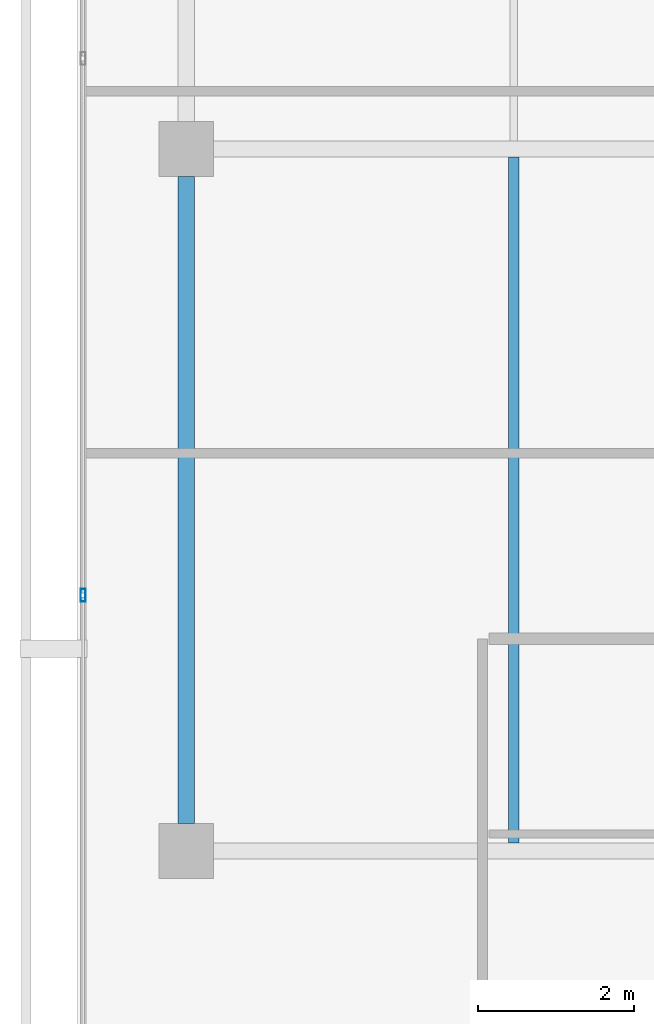
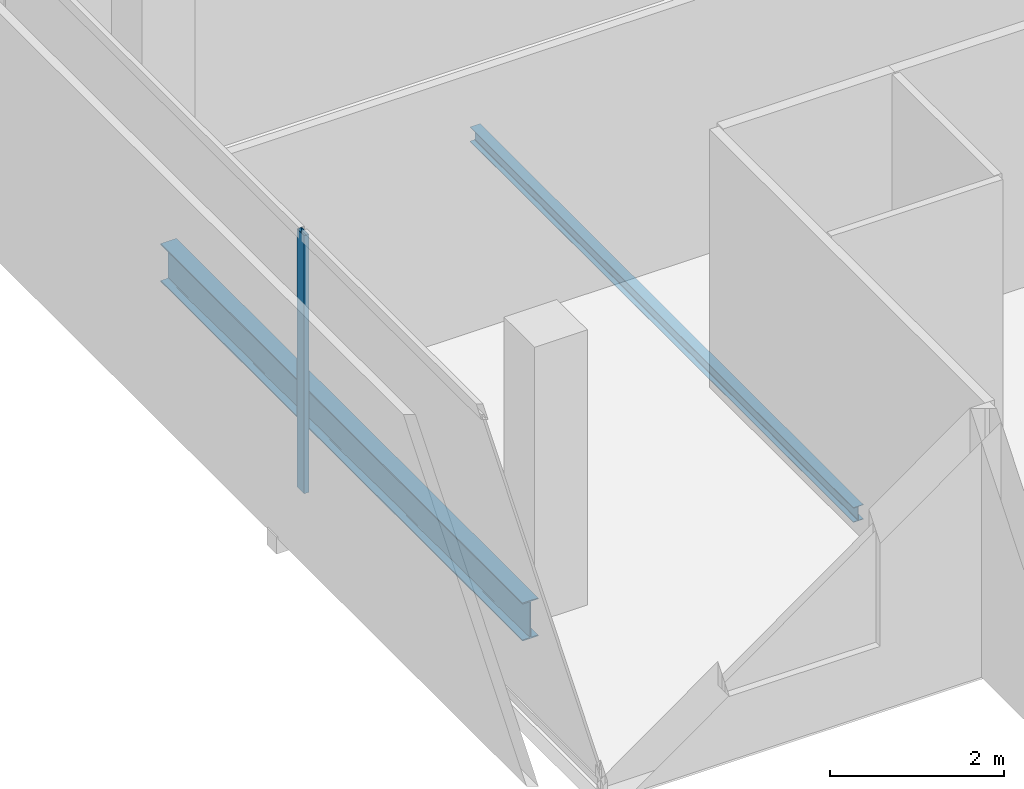
# One storey, part 4 of 25: 2 beams, 1 member, 1 element without a shape of its own.
"""IFC4 building model written with IfcOpenShell, lengths in metres."""

import ifcopenshell
import ifcopenshell.guid

model = None  # the IFC model being written
_history = None  # IfcOwnerHistory: only IFC2X3 demands one
_inside = {}  # id of a spatial element -> (the spatial element, [elements in it])
_under = {}  # id of a project, library or spatial element -> (it, [spatial elements below it])
_declared = {}  # id of a project -> (the project, [libraries it declares])
_typed = {}  # id of a type object -> (the type object, [elements of that type])
_made_of = {}  # id of a material, layer set ... -> (it, [elements and type objects made of it])


def new_model(schema):
    """Start an empty IFC model of exactly this schema.

    Asked for "IFC4X3", IfcOpenShell would pick the latest addendum, in which some entities
    have other attributes; the version numbers below select the first issue.
    IFC2X3 requires an IfcOwnerHistory on every rooted entity: one is made here for all.
    """
    global model, _history
    if schema == "IFC4X3":
        model = ifcopenshell.file(schema_version=(4, 3, 0, 0))
    else:
        model = ifcopenshell.file(schema=schema)
    _inside.clear()
    _under.clear()
    _declared.clear()
    _typed.clear()
    _made_of.clear()
    _history = None
    if model.schema == "IFC2X3":
        org = make("IfcOrganization", Name="unknown")
        user = make(
            "IfcPersonAndOrganization",
            ThePerson=make("IfcPerson", FamilyName="unknown"),
            TheOrganization=org,
        )
        app = make(
            "IfcApplication",
            ApplicationDeveloper=org,
            Version="unknown",
            ApplicationFullName="unknown",
            ApplicationIdentifier="unknown",
        )
        _history = make(
            "IfcOwnerHistory",
            OwningUser=user,
            OwningApplication=app,
            ChangeAction="ADDED",
            CreationDate=0,
        )
    return model


def make(cls, **values):
    """One entity of the class cls with the attributes given. An attribute that is None is left unset."""
    return model.create_entity(
        cls, **{name: value for name, value in values.items() if value is not None}
    )


def rooted(cls, **values):
    """An entity with a GlobalId (a new one), such as an element, a storey or a relation."""
    return make(cls, GlobalId=ifcopenshell.guid.new(), OwnerHistory=_history, **values)


def si_unit(unit_type, name, prefix=None):
    """IfcSIUnit, for example si_unit("LENGTHUNIT", "METRE", prefix="MILLI")."""
    return make("IfcSIUnit", UnitType=unit_type, Prefix=prefix, Name=name)


def assignment(units):
    """IfcUnitAssignment: the units of a project."""
    return None if units is None else make("IfcUnitAssignment", Units=units)


def point(xyz):
    """IfcCartesianPoint."""
    return None if xyz is None else make("IfcCartesianPoint", Coordinates=xyz)


def direction(xyz):
    """IfcDirection."""
    return None if xyz is None else make("IfcDirection", DirectionRatios=xyz)


def frame(location, z_axis=None, x_axis=None):
    """IfcAxis2Placement3D, a coordinate frame: its origin and axes. An axis left out is left unset."""
    return make(
        "IfcAxis2Placement3D",
        Location=point(location),
        Axis=direction(z_axis),
        RefDirection=direction(x_axis),
    )


def frame_2d(location, x_axis=None):
    """IfcAxis2Placement2D, a coordinate frame in the plane: its origin and x axis."""
    return make(
        "IfcAxis2Placement2D", Location=point(location), RefDirection=direction(x_axis)
    )


def origin():
    """The frame at (0, 0, 0) with its axes left unset."""
    return frame((0.0, 0.0, 0.0))


def origin_2d():
    """The frame at (0, 0) in the plane with its x axis left unset."""
    return frame_2d((0.0, 0.0))


def place(relative_to, where):
    """IfcLocalPlacement: puts the frame where relative to a parent placement (None: the world)."""
    return make(
        "IfcLocalPlacement", PlacementRelTo=relative_to, RelativePlacement=where
    )


def context(
    kind, dimensions, precision=None, world=None, true_north=None, identifier=None
):
    """IfcGeometricRepresentationContext, for example the 3D "Model" context."""
    return make(
        "IfcGeometricRepresentationContext",
        ContextIdentifier=identifier,
        ContextType=kind,
        CoordinateSpaceDimension=dimensions,
        Precision=precision,
        WorldCoordinateSystem=world,
        TrueNorth=true_north,
    )


def subcontext(parent, identifier, kind, view, scale=None):
    """IfcGeometricRepresentationSubContext, for example "Body" below "Model"."""
    return make(
        "IfcGeometricRepresentationSubContext",
        ContextIdentifier=identifier,
        ContextType=kind,
        ParentContext=parent,
        TargetScale=scale,
        TargetView=view,
    )


def project(units=None, contexts=None):
    """IfcProject with its units and contexts."""
    return rooted(
        "IfcProject",
        Name="project",
        RepresentationContexts=contexts,
        UnitsInContext=assignment(units),
    )


def spatial(cls, under=None, at=None, **own):
    """A site, building, storey or space (cls), placed at a placement, below another one or the project."""
    s = rooted(cls, ObjectPlacement=at, **own)
    if under is not None:
        _under.setdefault(under.id(), (under, []))[1].append(s)
    return s


def profile(cls, at=None, kind="AREA", **sizes):
    """A parametric profile (cls). Its sizes go by their IFC names, for example OverallWidth=200.0."""
    return make(cls, ProfileType=kind, Position=at, **sizes)


def hollow_rectangle(**sizes):
    """IfcRectangleHollowProfileDef."""
    return profile("IfcRectangleHollowProfileDef", **sizes)


def i_section(**sizes):
    """IfcIShapeProfileDef."""
    return profile("IfcIShapeProfileDef", **sizes)


def extrude(swept, where, along, depth):
    """IfcExtrudedAreaSolid: the profile swept, set in the frame where, extruded along a direction by depth."""
    return make(
        "IfcExtrudedAreaSolid",
        SweptArea=swept,
        Position=where,
        ExtrudedDirection=direction(along),
        Depth=depth,
    )


def shape(context_of_items, identifier, shape_type, items):
    """IfcShapeRepresentation: the items that make up one representation, for example the "Body"."""
    return make(
        "IfcShapeRepresentation",
        ContextOfItems=context_of_items,
        RepresentationIdentifier=identifier,
        RepresentationType=shape_type,
        Items=items,
    )


def material(Name=None, Category=None):
    """IfcMaterial."""
    return make("IfcMaterial", Name=Name, Category=Category)


def layer(
    of_material, thickness, ventilated=None, Name=None, Category=None, Priority=None
):
    """IfcMaterialLayer: one layer of a wall or slab, of a material (None: an air gap)."""
    return make(
        "IfcMaterialLayer",
        Material=of_material,
        LayerThickness=thickness,
        IsVentilated=ventilated,
        Name=Name,
        Category=Category,
        Priority=Priority,
    )


def layer_set(layers, Name=None):
    """IfcMaterialLayerSet."""
    return make("IfcMaterialLayerSet", MaterialLayers=layers, LayerSetName=Name)


def material_profile(
    of_material, cross_section, Name=None, Category=None, Priority=None
):
    """IfcMaterialProfile: a cross section and its material."""
    return make(
        "IfcMaterialProfile",
        Name=Name,
        Material=of_material,
        Profile=cross_section,
        Priority=Priority,
        Category=Category,
    )


def profile_set(profiles, Name=None, composite=None):
    """IfcMaterialProfileSet."""
    return make(
        "IfcMaterialProfileSet",
        Name=Name,
        MaterialProfiles=profiles,
        CompositeProfile=composite,
    )


def made_of(thing, what):
    """Note that an element or type object is made of a material, layer set ...; save() writes the relation."""
    if what is not None:
        _made_of.setdefault(what.id(), (what, []))[1].append(thing)
    return thing


def type_object(cls, material=None, **own):
    """A type object (cls), such as IfcWallType, which elements share."""
    return made_of(rooted(cls, **own), material)


def element(
    cls,
    number,
    at=None,
    inside=None,
    cuts=None,
    type_object=None,
    material=None,
    context=None,
    identifier="Body",
    shape_type=None,
    held_by="IfcProductDefinitionShape",
    body=None,
    shapes=None,
    **own,
):
    """One element of the class cls, such as IfcWall. Its Tag is "e" and its number.

    at: its placement. inside: the storey or other place that contains it. cuts: it is an
    opening in that element (IfcRelVoidsElement). A single representation is given by context,
    identifier, shape_type and body (its items); several are given by shapes. held_by: the class
    of the entity that holds the representations. save() writes the other relations.
    """
    e = rooted(cls, Tag="e%d" % number, ObjectPlacement=at, **own)
    if body is not None:
        shapes = [shape(context, identifier, shape_type, body)]
    if shapes is not None:
        e.Representation = make(held_by, Representations=shapes)
    if inside is not None:
        _inside.setdefault(inside.id(), (inside, []))[1].append(e)
    if cuts is not None:
        rooted(
            "IfcRelVoidsElement", RelatingBuildingElement=cuts, RelatedOpeningElement=e
        )
    if type_object is not None:
        _typed.setdefault(type_object.id(), (type_object, []))[1].append(e)
    return made_of(e, material)


def aggregate(whole, parts):
    """IfcRelAggregates: a whole, such as a stair, and the parts it consists of."""
    return rooted("IfcRelAggregates", RelatingObject=whole, RelatedObjects=parts)


def save(model, path):
    """Write the relations noted so far, then the file.

    IfcRelAggregates (storeys below a building ...), IfcRelContainedInSpatialStructure (elements
    in a storey), IfcRelDefinesByType, IfcRelAssociatesMaterial and IfcRelDeclares: one each for
    every whole, place, type object, material and project.
    """
    for whole, parts in _under.values():
        aggregate(whole, parts)
    for where, things in _inside.values():
        rooted(
            "IfcRelContainedInSpatialStructure",
            RelatedElements=things,
            RelatingStructure=where,
        )
    for kind, things in _typed.values():
        rooted("IfcRelDefinesByType", RelatedObjects=things, RelatingType=kind)
    for what, things in _made_of.values():
        rooted("IfcRelAssociatesMaterial", RelatedObjects=things, RelatingMaterial=what)
    for by, libraries in _declared.values():
        rooted("IfcRelDeclares", RelatingContext=by, RelatedDefinitions=libraries)
    model.write(path)


model = new_model("IFC4")

# Units and contexts
model_context = context("Model", 3, precision=1e-05, world=origin(), true_north=direction((0.0, 1.0)))
body_context = subcontext(model_context, "Body", "Model", "MODEL_VIEW")
ifc_project = project(units=[si_unit("LENGTHUNIT", "METRE"), si_unit("AREAUNIT", "SQUARE_METRE"), si_unit("VOLUMEUNIT", "CUBIC_METRE"), si_unit("PLANEANGLEUNIT", "RADIAN"), si_unit("MASSUNIT", "GRAM", prefix="KILO")], contexts=[model_context])

# Site, building, storey
site_placement = place(None, origin())
site = spatial("IfcSite", under=ifc_project, at=site_placement, CompositionType="ELEMENT")
building_placement = place(site_placement, origin())
building = spatial("IfcBuilding", under=site, at=building_placement, Name="Maruvema Waterfront Hotel and Observation Tower", CompositionType="ELEMENT")
storey_placement = place(building_placement, frame((0.0, 0.0, 274.050048828125)))
storey = spatial("IfcBuildingStorey", under=building, at=storey_placement, Name="L67", CompositionType="ELEMENT", Elevation=274.050048828125)

# Curtain wall, member
ifc_material_1 = material(Name="Anodised bronze aluminium and solar-control low-E IGU", Category="aluminium")
ifc_layer = layer(ifc_material_1, 0.159912109375, Name="Zone 3 Champagne Inner Thermal Curtain Wall System CW-04")
ifc_layer_set = layer_set([ifc_layer], Name="Anodised bronze aluminium and solar-control low-E IGU")
curtain_wall_type = type_object("IfcCurtainWallType", Name="Zone 3 Champagne Inner Thermal Curtain Wall System CW-04", PredefinedType="USERDEFINED", material=ifc_layer_set)
curtain_wall_placement = place(storey_placement, origin())
curtain_wall = element("IfcCurtainWall", 1, at=curtain_wall_placement, inside=storey, type_object=curtain_wall_type, Name="L67 Curtain Wall CW-L67-W", ObjectType="UNITISED CURTAIN WALL", PredefinedType="USERDEFINED")
ifc_material_2 = material(Name="Anodised architectural bronze aluminium", Category="aluminium")
ifc_material_profile_1 = material_profile(ifc_material_2, hollow_rectangle(XDim=0.06494140625, YDim=0.1650390625, WallThickness=0.00390625, at=origin_2d()), Name="ALU-M65x165")
ifc_profile_set_1 = profile_set([ifc_material_profile_1], Name="Anodised architectural bronze aluminium")
member_type = type_object("IfcMemberType", Name="Curtain Wall Primary Mullion ALU-M65x165", PredefinedType="MULLION", material=ifc_profile_set_1)
member_placement = place(storey_placement, frame((15.47998046875, 21.280029296875, 0.0), z_axis=(0.0, 0.0, 1.0), x_axis=(1.0, 0.0, 0.0)))
member = element("IfcMember", 2, at=member_placement, type_object=member_type, Name="CW-04 mullion 5", PredefinedType="MULLION", context=body_context, shape_type="SweptSolid", body=[
    extrude(hollow_rectangle(XDim=0.06494140625, YDim=0.1650390625, WallThickness=0.00390625, at=origin_2d()), origin(), (0.0, 0.0, 1.0), 3.60986328125),
])
aggregate(curtain_wall, [member])

# Beams
ifc_material_3 = material(Name="Steel ASTM A572 Grade 50", Category="steel")
ifc_material_profile_2 = material_profile(ifc_material_3, i_section(OverallWidth=0.208984375, OverallDepth=0.532958984375, WebThickness=0.01025390625, FlangeThickness=0.015625, FilletRadius=0.014892578125, at=origin_2d()), Name="W530x92.0")
ifc_profile_set_2 = profile_set([ifc_material_profile_2], Name="Steel ASTM A572 Grade 50")
beam_type_1 = type_object("IfcBeamType", Name="Primary Floor Girder W530x92.0", PredefinedType="BEAM", material=ifc_profile_set_2)
beam_1_placement = place(storey_placement, frame((16.800048828125, 18.35009765625, -0.506591796875), z_axis=(0.0, 1.0, 0.0), x_axis=(-1.0, 0.0, 0.0)))
element("IfcBeam", 3, at=beam_1_placement, inside=storey, type_object=beam_type_1, Name="L67 Floor Girder NS-01", PredefinedType="BEAM", context=body_context, shape_type="SweptSolid", body=[
    extrude(i_section(OverallWidth=0.208984375, OverallDepth=0.532958984375, WebThickness=0.01025390625, FlangeThickness=0.015625, FilletRadius=0.014892578125, at=origin_2d()), origin(), (0.0, 0.0, 1.0), 8.2998046875),
])
ifc_material_4 = material(Name="Steel ASTM A572 Grade 50", Category="steel")
ifc_material_profile_3 = material_profile(ifc_material_4, i_section(OverallWidth=0.133056640625, OverallDepth=0.20703125, WebThickness=0.005859375, FlangeThickness=0.00830078125, FilletRadius=0.010009765625, at=origin_2d()), Name="W200x26.6")
ifc_profile_set_3 = profile_set([ifc_material_profile_3], Name="Steel ASTM A572 Grade 50")
beam_type_2 = type_object("IfcBeamType", Name="Secondary Floor Joist W200x26.6", PredefinedType="JOIST", material=ifc_profile_set_3)
beam_2_placement = place(storey_placement, frame((21.0, 18.1044921875, -0.343505859375), z_axis=(0.0, 1.0, 0.0), x_axis=(-1.0, 0.0, 0.0)))
element("IfcBeam", 4, at=beam_2_placement, inside=storey, type_object=beam_type_2, Name="L67 Secondary Floor Joist JS-01", PredefinedType="JOIST", context=body_context, shape_type="SweptSolid", body=[
    extrude(i_section(OverallWidth=0.133056640625, OverallDepth=0.20703125, WebThickness=0.005859375, FlangeThickness=0.00830078125, FilletRadius=0.010009765625, at=origin_2d()), origin(), (0.0, 0.0, 1.0), 8.791015625),
])

save(model, "model.ifc")
